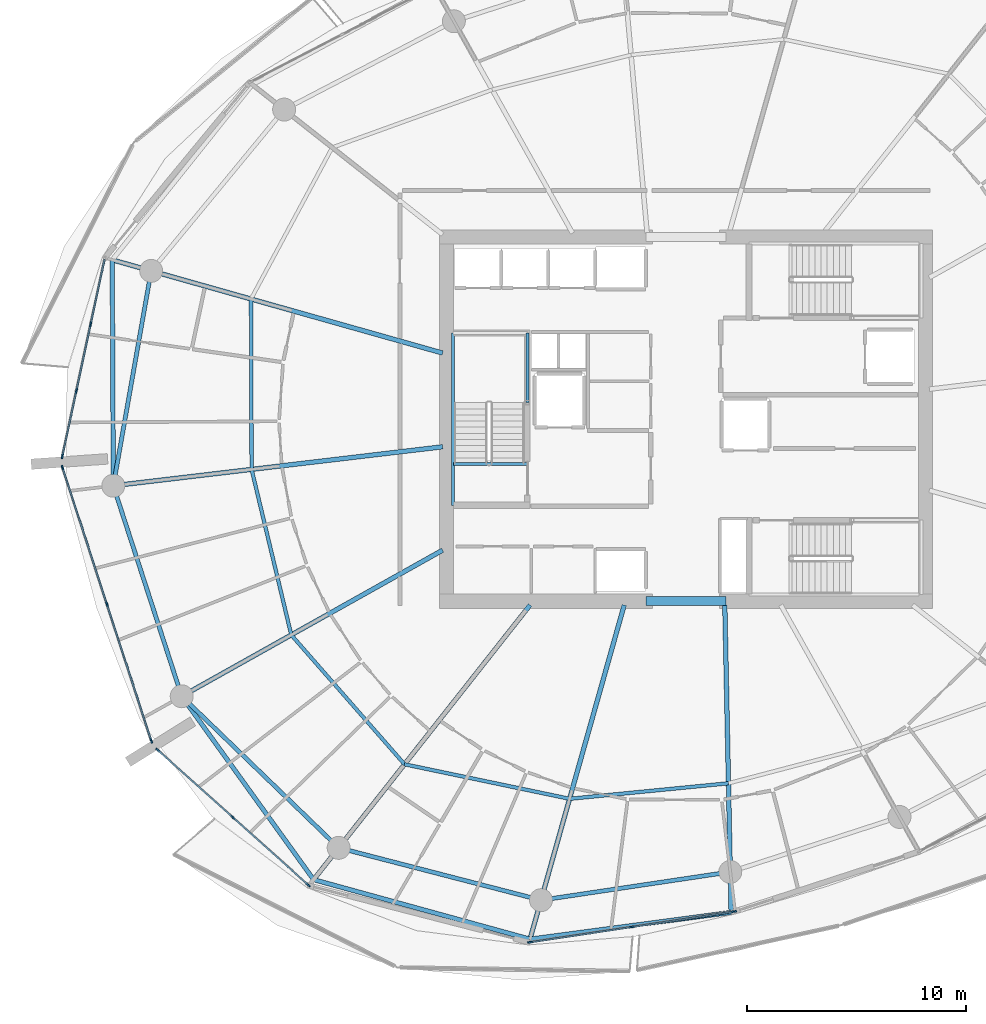
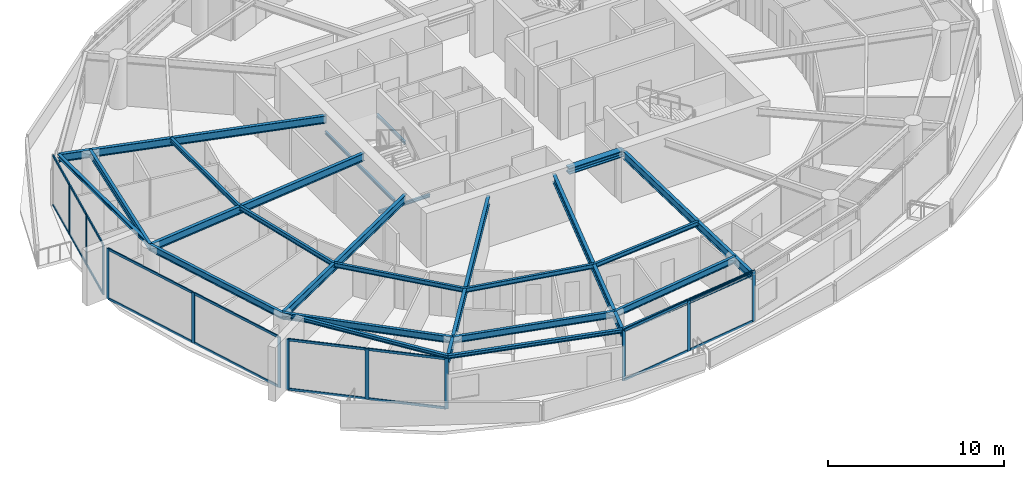
# One storey, part 5 of 21: 30 members, 24 beams, 4 elements without a shape of their own.
"""IFC4 building model written with IfcOpenShell, lengths in metres."""

import ifcopenshell
import ifcopenshell.guid

model = None  # the IFC model being written
_history = None  # IfcOwnerHistory: only IFC2X3 demands one
_inside = {}  # id of a spatial element -> (the spatial element, [elements in it])
_under = {}  # id of a project, library or spatial element -> (it, [spatial elements below it])
_declared = {}  # id of a project -> (the project, [libraries it declares])
_typed = {}  # id of a type object -> (the type object, [elements of that type])
_made_of = {}  # id of a material, layer set ... -> (it, [elements and type objects made of it])


def new_model(schema):
    """Start an empty IFC model of exactly this schema.

    Asked for "IFC4X3", IfcOpenShell would pick the latest addendum, in which some entities
    have other attributes; the version numbers below select the first issue.
    IFC2X3 requires an IfcOwnerHistory on every rooted entity: one is made here for all.
    """
    global model, _history
    if schema == "IFC4X3":
        model = ifcopenshell.file(schema_version=(4, 3, 0, 0))
    else:
        model = ifcopenshell.file(schema=schema)
    _inside.clear()
    _under.clear()
    _declared.clear()
    _typed.clear()
    _made_of.clear()
    _history = None
    if model.schema == "IFC2X3":
        org = make("IfcOrganization", Name="unknown")
        user = make(
            "IfcPersonAndOrganization",
            ThePerson=make("IfcPerson", FamilyName="unknown"),
            TheOrganization=org,
        )
        app = make(
            "IfcApplication",
            ApplicationDeveloper=org,
            Version="unknown",
            ApplicationFullName="unknown",
            ApplicationIdentifier="unknown",
        )
        _history = make(
            "IfcOwnerHistory",
            OwningUser=user,
            OwningApplication=app,
            ChangeAction="ADDED",
            CreationDate=0,
        )
    return model


def make(cls, **values):
    """One entity of the class cls with the attributes given. An attribute that is None is left unset."""
    return model.create_entity(
        cls, **{name: value for name, value in values.items() if value is not None}
    )


def rooted(cls, **values):
    """An entity with a GlobalId (a new one), such as an element, a storey or a relation."""
    return make(cls, GlobalId=ifcopenshell.guid.new(), OwnerHistory=_history, **values)


def si_unit(unit_type, name, prefix=None):
    """IfcSIUnit, for example si_unit("LENGTHUNIT", "METRE", prefix="MILLI")."""
    return make("IfcSIUnit", UnitType=unit_type, Prefix=prefix, Name=name)


def assignment(units):
    """IfcUnitAssignment: the units of a project."""
    return None if units is None else make("IfcUnitAssignment", Units=units)


def point(xyz):
    """IfcCartesianPoint."""
    return None if xyz is None else make("IfcCartesianPoint", Coordinates=xyz)


def direction(xyz):
    """IfcDirection."""
    return None if xyz is None else make("IfcDirection", DirectionRatios=xyz)


def frame(location, z_axis=None, x_axis=None):
    """IfcAxis2Placement3D, a coordinate frame: its origin and axes. An axis left out is left unset."""
    return make(
        "IfcAxis2Placement3D",
        Location=point(location),
        Axis=direction(z_axis),
        RefDirection=direction(x_axis),
    )


def frame_2d(location, x_axis=None):
    """IfcAxis2Placement2D, a coordinate frame in the plane: its origin and x axis."""
    return make(
        "IfcAxis2Placement2D", Location=point(location), RefDirection=direction(x_axis)
    )


def origin():
    """The frame at (0, 0, 0) with its axes left unset."""
    return frame((0.0, 0.0, 0.0))


def origin_2d():
    """The frame at (0, 0) in the plane with its x axis left unset."""
    return frame_2d((0.0, 0.0))


def place(relative_to, where):
    """IfcLocalPlacement: puts the frame where relative to a parent placement (None: the world)."""
    return make(
        "IfcLocalPlacement", PlacementRelTo=relative_to, RelativePlacement=where
    )


def context(
    kind, dimensions, precision=None, world=None, true_north=None, identifier=None
):
    """IfcGeometricRepresentationContext, for example the 3D "Model" context."""
    return make(
        "IfcGeometricRepresentationContext",
        ContextIdentifier=identifier,
        ContextType=kind,
        CoordinateSpaceDimension=dimensions,
        Precision=precision,
        WorldCoordinateSystem=world,
        TrueNorth=true_north,
    )


def subcontext(parent, identifier, kind, view, scale=None):
    """IfcGeometricRepresentationSubContext, for example "Body" below "Model"."""
    return make(
        "IfcGeometricRepresentationSubContext",
        ContextIdentifier=identifier,
        ContextType=kind,
        ParentContext=parent,
        TargetScale=scale,
        TargetView=view,
    )


def project(units=None, contexts=None):
    """IfcProject with its units and contexts."""
    return rooted(
        "IfcProject",
        Name="project",
        RepresentationContexts=contexts,
        UnitsInContext=assignment(units),
    )


def spatial(cls, under=None, at=None, **own):
    """A site, building, storey or space (cls), placed at a placement, below another one or the project."""
    s = rooted(cls, ObjectPlacement=at, **own)
    if under is not None:
        _under.setdefault(under.id(), (under, []))[1].append(s)
    return s


def profile(cls, at=None, kind="AREA", **sizes):
    """A parametric profile (cls). Its sizes go by their IFC names, for example OverallWidth=200.0."""
    return make(cls, ProfileType=kind, Position=at, **sizes)


def rectangle(**sizes):
    """IfcRectangleProfileDef."""
    return profile("IfcRectangleProfileDef", **sizes)


def i_section(**sizes):
    """IfcIShapeProfileDef."""
    return profile("IfcIShapeProfileDef", **sizes)


def extrude(swept, where, along, depth):
    """IfcExtrudedAreaSolid: the profile swept, set in the frame where, extruded along a direction by depth."""
    return make(
        "IfcExtrudedAreaSolid",
        SweptArea=swept,
        Position=where,
        ExtrudedDirection=direction(along),
        Depth=depth,
    )


def shape(context_of_items, identifier, shape_type, items):
    """IfcShapeRepresentation: the items that make up one representation, for example the "Body"."""
    return make(
        "IfcShapeRepresentation",
        ContextOfItems=context_of_items,
        RepresentationIdentifier=identifier,
        RepresentationType=shape_type,
        Items=items,
    )


def material(Name=None, Category=None):
    """IfcMaterial."""
    return make("IfcMaterial", Name=Name, Category=Category)


def layer(
    of_material, thickness, ventilated=None, Name=None, Category=None, Priority=None
):
    """IfcMaterialLayer: one layer of a wall or slab, of a material (None: an air gap)."""
    return make(
        "IfcMaterialLayer",
        Material=of_material,
        LayerThickness=thickness,
        IsVentilated=ventilated,
        Name=Name,
        Category=Category,
        Priority=Priority,
    )


def layer_set(layers, Name=None):
    """IfcMaterialLayerSet."""
    return make("IfcMaterialLayerSet", MaterialLayers=layers, LayerSetName=Name)


def material_profile(
    of_material, cross_section, Name=None, Category=None, Priority=None
):
    """IfcMaterialProfile: a cross section and its material."""
    return make(
        "IfcMaterialProfile",
        Name=Name,
        Material=of_material,
        Profile=cross_section,
        Priority=Priority,
        Category=Category,
    )


def profile_set(profiles, Name=None, composite=None):
    """IfcMaterialProfileSet."""
    return make(
        "IfcMaterialProfileSet",
        Name=Name,
        MaterialProfiles=profiles,
        CompositeProfile=composite,
    )


def made_of(thing, what):
    """Note that an element or type object is made of a material, layer set ...; save() writes the relation."""
    if what is not None:
        _made_of.setdefault(what.id(), (what, []))[1].append(thing)
    return thing


def type_object(cls, material=None, **own):
    """A type object (cls), such as IfcWallType, which elements share."""
    return made_of(rooted(cls, **own), material)


def element(
    cls,
    number,
    at=None,
    inside=None,
    cuts=None,
    type_object=None,
    material=None,
    context=None,
    identifier="Body",
    shape_type=None,
    held_by="IfcProductDefinitionShape",
    body=None,
    shapes=None,
    **own,
):
    """One element of the class cls, such as IfcWall. Its Tag is "e" and its number.

    at: its placement. inside: the storey or other place that contains it. cuts: it is an
    opening in that element (IfcRelVoidsElement). A single representation is given by context,
    identifier, shape_type and body (its items); several are given by shapes. held_by: the class
    of the entity that holds the representations. save() writes the other relations.
    """
    e = rooted(cls, Tag="e%d" % number, ObjectPlacement=at, **own)
    if body is not None:
        shapes = [shape(context, identifier, shape_type, body)]
    if shapes is not None:
        e.Representation = make(held_by, Representations=shapes)
    if inside is not None:
        _inside.setdefault(inside.id(), (inside, []))[1].append(e)
    if cuts is not None:
        rooted(
            "IfcRelVoidsElement", RelatingBuildingElement=cuts, RelatedOpeningElement=e
        )
    if type_object is not None:
        _typed.setdefault(type_object.id(), (type_object, []))[1].append(e)
    return made_of(e, material)


def aggregate(whole, parts):
    """IfcRelAggregates: a whole, such as a stair, and the parts it consists of."""
    return rooted("IfcRelAggregates", RelatingObject=whole, RelatedObjects=parts)


def save(model, path):
    """Write the relations noted so far, then the file.

    IfcRelAggregates (storeys below a building ...), IfcRelContainedInSpatialStructure (elements
    in a storey), IfcRelDefinesByType, IfcRelAssociatesMaterial and IfcRelDeclares: one each for
    every whole, place, type object, material and project.
    """
    for whole, parts in _under.values():
        aggregate(whole, parts)
    for where, things in _inside.values():
        rooted(
            "IfcRelContainedInSpatialStructure",
            RelatedElements=things,
            RelatingStructure=where,
        )
    for kind, things in _typed.values():
        rooted("IfcRelDefinesByType", RelatedObjects=things, RelatingType=kind)
    for what, things in _made_of.values():
        rooted("IfcRelAssociatesMaterial", RelatedObjects=things, RelatingMaterial=what)
    for by, libraries in _declared.values():
        rooted("IfcRelDeclares", RelatingContext=by, RelatedDefinitions=libraries)
    model.write(path)


model = new_model("IFC4")

# Units and contexts
model_context = context("Model", 3, precision=1e-05, world=origin(), true_north=direction((0.0, 1.0)))
body_context = subcontext(model_context, "Body", "Model", "MODEL_VIEW")
ifc_project = project(units=[si_unit("LENGTHUNIT", "METRE"), si_unit("AREAUNIT", "SQUARE_METRE"), si_unit("VOLUMEUNIT", "CUBIC_METRE"), si_unit("PLANEANGLEUNIT", "RADIAN"), si_unit("MASSUNIT", "GRAM", prefix="KILO")], contexts=[model_context])

# Site, building, storey
site_placement = place(None, origin())
site = spatial("IfcSite", under=ifc_project, at=site_placement, CompositionType="ELEMENT")
building_placement = place(site_placement, origin())
building = spatial("IfcBuilding", under=site, at=building_placement, Name="Kazma Halo Residences", CompositionType="ELEMENT")
storey_placement = place(building_placement, frame((0.0, 0.0, 187.800048828125)))
storey = spatial("IfcBuildingStorey", under=building, at=storey_placement, Name="L47", CompositionType="ELEMENT", Elevation=187.800048828125)

# Beams
ifc_material_1 = material(Name="Steel S355", Category="steel")
ifc_material_profile_1 = material_profile(ifc_material_1, i_section(OverallWidth=0.201904296875, OverallDepth=0.2470703125, WebThickness=0.00732421875, FlangeThickness=0.010986328125, FilletRadius=0.011962890625, at=origin_2d()), Name="W250x49.1")
ifc_profile_set_1 = profile_set([ifc_material_profile_1], Name="Steel S355")
beam_type_1 = type_object("IfcBeamType", Name="BM-BAL-CANT", PredefinedType="BEAM", material=ifc_profile_set_1)
for number, where, z_axis, x_axis, name in (
    (1, (22.19970703125, 49.276611328125, 3.37646484375), (0.004705663334, -0.999988928305, 0.0), (0.999988928305, 0.004705663334, 0.0), "L47 wave-balcony tie beam 07"),
    (2, (25.375, 29.329345703125, 3.37646484375), (0.583963922576, -0.811779611181, 0.0), (0.811779611181, 0.583963922576, 0.0), "L47 wave-balcony lead tie beam 09"),
):
    element("IfcBeam", number, at=place(storey_placement, frame(where, z_axis=z_axis, x_axis=x_axis)), inside=storey, type_object=beam_type_1, Name=name, PredefinedType="BEAM", context=body_context, shape_type="SweptSolid", body=[
        extrude(i_section(OverallWidth=0.201904296875, OverallDepth=0.2470703125, WebThickness=0.00732421875, FlangeThickness=0.010986328125, FilletRadius=0.011962890625, at=origin_2d()), origin(), (0.0, 0.0, 1.0), 10.324462890625),
    ])
beam_1_placement = place(storey_placement, frame((31.404052734375, 20.9482421875, 3.37646484375), z_axis=(0.964197026197, -0.265186905169, 0.0), x_axis=(0.265186905169, 0.964197026197, 0.0)))
element("IfcBeam", 3, at=beam_1_placement, inside=storey, type_object=beam_type_1, Name="L47 wave-balcony tie beam 10", PredefinedType="BEAM", context=body_context, shape_type="SweptSolid", body=[
    extrude(i_section(OverallWidth=0.201904296875, OverallDepth=0.2470703125, WebThickness=0.00732421875, FlangeThickness=0.010986328125, FilletRadius=0.011962890625, at=origin_2d()), origin(), (0.0, 0.0, 1.0), 10.258544921875),
])
beam_2_placement = place(storey_placement, frame((41.29541015625, 18.227783203125, 3.37646484375), z_axis=(0.99126671613, 0.131872277199, 0.0), x_axis=(-0.131872277199, 0.99126671613, 0.0)))
element("IfcBeam", 4, at=beam_2_placement, inside=storey, type_object=beam_type_1, Name="L47 wave-balcony tie beam 11", PredefinedType="BEAM", context=body_context, shape_type="SweptSolid", body=[
    extrude(i_section(OverallWidth=0.201904296875, OverallDepth=0.2470703125, WebThickness=0.00732421875, FlangeThickness=0.010986328125, FilletRadius=0.011962890625, at=origin_2d()), origin(), (0.0, 0.0, 1.0), 9.2734375),
])
ifc_material_profile_2 = material_profile(ifc_material_1, i_section(OverallWidth=0.408935546875, OverallDepth=0.425048828125, WebThickness=0.03271484375, FlangeThickness=0.052490234375, FilletRadius=0.02001953125, at=origin_2d()), Name="W360x421")
ifc_profile_set_2 = profile_set([ifc_material_profile_2], Name="Steel S355")
beam_type_2 = type_object("IfcBeamType", Name="BM-CORE-W360H", PredefinedType="BEAM", material=ifc_profile_set_2)
beam_3_placement = place(storey_placement, frame((46.60009765625, 33.675048828125, 3.287353515625), z_axis=(1.0, 0.0, 0.0), x_axis=(0.0, 1.0, 0.0)))
element("IfcBeam", 5, at=beam_3_placement, inside=storey, type_object=beam_type_2, Name="L47 core coupling beam S", PredefinedType="BEAM", context=body_context, shape_type="SweptSolid", body=[
    extrude(i_section(OverallWidth=0.408935546875, OverallDepth=0.425048828125, WebThickness=0.03271484375, FlangeThickness=0.052490234375, FilletRadius=0.02001953125, at=origin_2d()), origin(), (0.0, 0.0, 1.0), 3.64990234375),
])
ifc_material_profile_3 = material_profile(ifc_material_1, i_section(OverallWidth=0.208984375, OverallDepth=0.532958984375, WebThickness=0.01025390625, FlangeThickness=0.015625, FilletRadius=0.01611328125, at=origin_2d()), Name="W530x92")
ifc_profile_set_3 = profile_set([ifc_material_profile_3], Name="Steel S355")
beam_type_3 = type_object("IfcBeamType", Name="BM-RAD-W530", PredefinedType="BEAM", material=ifc_profile_set_3)
beam_4_placement = place(storey_placement, frame((37.300048828125, 45.017578125, 3.2333984375), z_axis=(-0.962450301448, 0.271457947467, 0.0), x_axis=(-0.271457947467, -0.962450301448, 0.0)))
element("IfcBeam", 6, at=beam_4_placement, inside=storey, type_object=beam_type_3, Name="L47 radial floor beam 07", PredefinedType="BEAM", context=body_context, shape_type="SweptSolid", body=[
    extrude(i_section(OverallWidth=0.208984375, OverallDepth=0.532958984375, WebThickness=0.01025390625, FlangeThickness=0.015625, FilletRadius=0.01611328125, at=origin_2d()), origin(), (0.0, 0.0, 1.0), 15.689453125),
])
beam_5_placement = place(storey_placement, frame((37.300048828125, 40.733642578125, 3.2333984375), z_axis=(-0.993068447674, -0.117537475875, 0.0), x_axis=(0.117537475875, -0.993068447674, 0.0)))
element("IfcBeam", 7, at=beam_5_placement, inside=storey, type_object=beam_type_3, Name="L47 radial floor beam 08", PredefinedType="BEAM", context=body_context, shape_type="SweptSolid", body=[
    extrude(i_section(OverallWidth=0.208984375, OverallDepth=0.532958984375, WebThickness=0.01025390625, FlangeThickness=0.015625, FilletRadius=0.01611328125, at=origin_2d()), origin(), (0.0, 0.0, 1.0), 15.15673828125),
])
beam_6_placement = place(storey_placement, frame((37.300048828125, 36.0078125, 3.2333984375), z_axis=(-0.872492308718, -0.488627845327, 0.0), x_axis=(0.488627845327, -0.872492308718, 0.0)))
element("IfcBeam", 8, at=beam_6_placement, inside=storey, type_object=beam_type_3, Name="L47 radial floor beam 09", PredefinedType="BEAM", context=body_context, shape_type="SweptSolid", body=[
    extrude(i_section(OverallWidth=0.208984375, OverallDepth=0.532958984375, WebThickness=0.01025390625, FlangeThickness=0.015625, FilletRadius=0.01611328125, at=origin_2d()), origin(), (0.0, 0.0, 1.0), 13.667724609375),
])
beam_7_placement = place(storey_placement, frame((41.299072265625, 33.5, 3.2333984375), z_axis=(-0.61909439419, -0.785316580165, 0.0), x_axis=(0.785316580165, -0.61909439419, 0.0)))
element("IfcBeam", 9, at=beam_7_placement, inside=storey, type_object=beam_type_3, Name="L47 radial floor beam 10", PredefinedType="BEAM", context=body_context, shape_type="SweptSolid", body=[
    extrude(i_section(OverallWidth=0.208984375, OverallDepth=0.532958984375, WebThickness=0.01025390625, FlangeThickness=0.015625, FilletRadius=0.01611328125, at=origin_2d()), origin(), (0.0, 0.0, 1.0), 15.983154296875),
])
beam_8_placement = place(storey_placement, frame((45.602783203125, 33.5, 3.2333984375), z_axis=(-0.271449932859, -0.962452561922, 0.0), x_axis=(0.962452561922, -0.271449932859, 0.0)))
element("IfcBeam", 10, at=beam_8_placement, inside=storey, type_object=beam_type_3, Name="L47 radial floor beam 11", PredefinedType="BEAM", context=body_context, shape_type="SweptSolid", body=[
    extrude(i_section(OverallWidth=0.208984375, OverallDepth=0.532958984375, WebThickness=0.01025390625, FlangeThickness=0.015625, FilletRadius=0.01611328125, at=origin_2d()), origin(), (0.0, 0.0, 1.0), 15.867919921875),
])
beam_9_placement = place(storey_placement, frame((50.199951171875, 33.5, 3.2333984375), z_axis=(0.020483658838, -0.99979018785, 0.0), x_axis=(0.99979018785, 0.020483658838, 0.0)))
element("IfcBeam", 11, at=beam_9_placement, inside=storey, type_object=beam_type_3, Name="L47 radial floor beam 12", PredefinedType="BEAM", context=body_context, shape_type="SweptSolid", body=[
    extrude(i_section(OverallWidth=0.208984375, OverallDepth=0.532958984375, WebThickness=0.01025390625, FlangeThickness=0.015625, FilletRadius=0.01611328125, at=origin_2d()), origin(), (0.0, 0.0, 1.0), 14.05224609375),
])
ifc_material_profile_4 = material_profile(ifc_material_1, i_section(OverallWidth=0.1650390625, OverallDepth=0.31005859375, WebThickness=0.005859375, FlangeThickness=0.009765625, FilletRadius=0.011962890625, at=origin_2d()), Name="W310x38.7")
ifc_profile_set_4 = profile_set([ifc_material_profile_4], Name="Steel S355")
beam_type_4 = type_object("IfcBeamType", Name="BM-SEC-W310B", PredefinedType="JOIST", material=ifc_profile_set_4)
beam_10_placement = place(storey_placement, frame((28.5419921875, 47.48779296875, 3.344970703125), z_axis=(0.003605218278, -0.999993501179, 0.0), x_axis=(0.999993501179, 0.003605218278, 0.0)))
element("IfcBeam", 12, at=beam_10_placement, inside=storey, type_object=beam_type_4, Name="L47 circumferential floor joist 07", PredefinedType="JOIST", context=body_context, shape_type="SweptSolid", body=[
    extrude(i_section(OverallWidth=0.1650390625, OverallDepth=0.31005859375, WebThickness=0.005859375, FlangeThickness=0.009765625, FilletRadius=0.011962890625, at=origin_2d()), origin(), (0.0, 0.0, 1.0), 7.78759765625),
])
beam_11_placement = place(storey_placement, frame((28.570068359375, 39.7001953125, 3.344970703125), z_axis=(0.233058429286, -0.972462733753, 0.0), x_axis=(0.972462733753, 0.233058429286, 0.0)))
element("IfcBeam", 13, at=beam_11_placement, inside=storey, type_object=beam_type_4, Name="L47 circumferential floor joist 08", PredefinedType="JOIST", context=body_context, shape_type="SweptSolid", body=[
    extrude(i_section(OverallWidth=0.1650390625, OverallDepth=0.31005859375, WebThickness=0.005859375, FlangeThickness=0.009765625, FilletRadius=0.011962890625, at=origin_2d()), origin(), (0.0, 0.0, 1.0), 7.7802734375),
])
beam_12_placement = place(storey_placement, frame((30.38330078125, 32.13427734375, 3.344970703125), z_axis=(0.658629944618, -0.75246700662, 0.0), x_axis=(0.75246700662, 0.658629944618, 0.0)))
element("IfcBeam", 14, at=beam_12_placement, inside=storey, type_object=beam_type_4, Name="L47 circumferential floor joist 09", PredefinedType="JOIST", context=body_context, shape_type="SweptSolid", body=[
    extrude(i_section(OverallWidth=0.1650390625, OverallDepth=0.31005859375, WebThickness=0.005859375, FlangeThickness=0.009765625, FilletRadius=0.011962890625, at=origin_2d()), origin(), (0.0, 0.0, 1.0), 7.85986328125),
])
beam_13_placement = place(storey_placement, frame((35.56005859375, 26.219970703125, 3.344970703125), z_axis=(0.978821484976, -0.204715657802, 0.0), x_axis=(0.204715657802, 0.978821484976, 0.0)))
element("IfcBeam", 15, at=beam_13_placement, inside=storey, type_object=beam_type_4, Name="L47 circumferential floor joist 10", PredefinedType="JOIST", context=body_context, shape_type="SweptSolid", body=[
    extrude(i_section(OverallWidth=0.1650390625, OverallDepth=0.31005859375, WebThickness=0.005859375, FlangeThickness=0.009765625, FilletRadius=0.011962890625, at=origin_2d()), origin(), (0.0, 0.0, 1.0), 7.707763671875),
])
beam_14_placement = place(storey_placement, frame((43.1044921875, 24.64208984375, 3.344970703125), z_axis=(0.995262165401, 0.097227681872, 0.0), x_axis=(-0.097227681872, 0.995262165401, 0.0)))
element("IfcBeam", 16, at=beam_14_placement, inside=storey, type_object=beam_type_4, Name="L47 circumferential floor joist 11", PredefinedType="JOIST", context=body_context, shape_type="SweptSolid", body=[
    extrude(i_section(OverallWidth=0.1650390625, OverallDepth=0.31005859375, WebThickness=0.005859375, FlangeThickness=0.009765625, FilletRadius=0.011962890625, at=origin_2d()), origin(), (0.0, 0.0, 1.0), 7.297119140625),
])
ifc_material_profile_5 = material_profile(ifc_material_1, i_section(OverallWidth=0.18994140625, OverallDepth=0.45703125, WebThickness=0.009033203125, FlangeThickness=0.014404296875, FilletRadius=0.01611328125, at=origin_2d()), Name="W460x74")
ifc_profile_set_5 = profile_set([ifc_material_profile_5], Name="Steel S355")
beam_type_5 = type_object("IfcBeamType", Name="BM-SPN-W460", PredefinedType="BEAM", material=ifc_profile_set_5)
beam_15_placement = place(storey_placement, frame((23.980224609375, 48.7744140625, 3.271484375), z_axis=(-0.173648484202, -0.984807698962, 0.0), x_axis=(0.984807698962, -0.173648484202, 0.0)))
element("IfcBeam", 17, at=beam_15_placement, inside=storey, type_object=beam_type_5, Name="L47 perimeter ring beam 07", PredefinedType="BEAM", context=body_context, shape_type="SweptSolid", body=[
    extrude(i_section(OverallWidth=0.18994140625, OverallDepth=0.45703125, WebThickness=0.009033203125, FlangeThickness=0.014404296875, FilletRadius=0.01611328125, at=origin_2d()), origin(), (0.0, 0.0, 1.0), 9.973876953125),
])
beam_16_placement = place(storey_placement, frame((22.248291015625, 38.9521484375, 3.271484375), z_axis=(0.309023327426, -0.951054458539, 0.0), x_axis=(0.951054458539, 0.309023327426, 0.0)))
element("IfcBeam", 18, at=beam_16_placement, inside=storey, type_object=beam_type_5, Name="L47 perimeter ring beam 08", PredefinedType="BEAM", context=body_context, shape_type="SweptSolid", body=[
    extrude(i_section(OverallWidth=0.18994140625, OverallDepth=0.45703125, WebThickness=0.009033203125, FlangeThickness=0.014404296875, FilletRadius=0.01611328125, at=origin_2d()), origin(), (0.0, 0.0, 1.0), 10.117919921875),
])
beam_17_placement = place(storey_placement, frame((25.375, 29.329345703125, 3.271484375), z_axis=(0.71933650181, -0.694661786169, 0.0), x_axis=(0.694661786169, 0.71933650181, 0.0)))
element("IfcBeam", 19, at=beam_17_placement, inside=storey, type_object=beam_type_5, Name="L47 perimeter ring beam 09", PredefinedType="BEAM", context=body_context, shape_type="SweptSolid", body=[
    extrude(i_section(OverallWidth=0.18994140625, OverallDepth=0.45703125, WebThickness=0.009033203125, FlangeThickness=0.014404296875, FilletRadius=0.01611328125, at=origin_2d()), origin(), (0.0, 0.0, 1.0), 9.9736328125),
])
beam_18_placement = place(storey_placement, frame((32.54931640625, 22.401123046875, 3.271484375), z_axis=(0.968120950739, -0.25048318255, 0.0), x_axis=(0.25048318255, 0.968120950739, 0.0)))
element("IfcBeam", 20, at=beam_18_placement, inside=storey, type_object=beam_type_5, Name="L47 perimeter ring beam 10", PredefinedType="BEAM", context=body_context, shape_type="SweptSolid", body=[
    extrude(i_section(OverallWidth=0.18994140625, OverallDepth=0.45703125, WebThickness=0.009033203125, FlangeThickness=0.014404296875, FilletRadius=0.01611328125, at=origin_2d()), origin(), (0.0, 0.0, 1.0), 9.552734375),
])
beam_19_placement = place(storey_placement, frame((41.797607421875, 20.00830078125, 3.271484375), z_axis=(0.98903439143, 0.147685383732, 0.0), x_axis=(-0.147685383732, 0.98903439143, 0.0)))
element("IfcBeam", 21, at=beam_19_placement, inside=storey, type_object=beam_type_5, Name="L47 perimeter ring beam 11", PredefinedType="BEAM", context=body_context, shape_type="SweptSolid", body=[
    extrude(i_section(OverallWidth=0.18994140625, OverallDepth=0.45703125, WebThickness=0.009033203125, FlangeThickness=0.014404296875, FilletRadius=0.01611328125, at=origin_2d()), origin(), (0.0, 0.0, 1.0), 8.748291015625),
])
ifc_material_profile_6 = material_profile(ifc_material_1, i_section(OverallWidth=0.133056640625, OverallDepth=0.20703125, WebThickness=0.005859375, FlangeThickness=0.00830078125, FilletRadius=0.010009765625, at=origin_2d()), Name="W200x26.6")
ifc_profile_set_6 = profile_set([ifc_material_profile_6], Name="Steel S355")
beam_type_6 = type_object("IfcBeamType", Name="BM-TRIM-W200", PredefinedType="BEAM", material=ifc_profile_set_6)
beam_20_placement = place(storey_placement, frame((37.800048828125, 39.949951171875, -0.360107421875), z_axis=(1.0, 0.0, 0.0), x_axis=(0.0, 1.0, 0.0)))
element("IfcBeam", 22, at=beam_20_placement, inside=storey, type_object=beam_type_6, Name="L47 ST-01 floor landing support beam", PredefinedType="BEAM", context=body_context, shape_type="SweptSolid", body=[
    extrude(i_section(OverallWidth=0.133056640625, OverallDepth=0.20703125, WebThickness=0.005859375, FlangeThickness=0.00830078125, FilletRadius=0.010009765625, at=origin_2d()), origin(), (0.0, 0.0, 1.0), 3.3798828125),
])
beam_21_placement = place(storey_placement, frame((37.780029296875, 38.06005859375, 1.570068359375), z_axis=(0.0, 1.0, 0.0), x_axis=(-1.0, 0.0, 0.0)))
element("IfcBeam", 23, at=beam_21_placement, inside=storey, type_object=beam_type_6, Name="L47 ST-01 landing west wall ledger", PredefinedType="BEAM", context=body_context, shape_type="SweptSolid", body=[
    extrude(i_section(OverallWidth=0.133056640625, OverallDepth=0.20703125, WebThickness=0.005859375, FlangeThickness=0.00830078125, FilletRadius=0.010009765625, at=origin_2d()), origin(), (0.0, 0.0, 1.0), 7.8798828125),
])
beam_22_placement = place(storey_placement, frame((41.179931640625, 42.75, 1.570068359375), z_axis=(0.0, 1.0, 0.0), x_axis=(-1.0, 0.0, 0.0)))
element("IfcBeam", 24, at=beam_22_placement, inside=storey, type_object=beam_type_6, Name="L47 ST-01 landing east wall ledger", PredefinedType="BEAM", context=body_context, shape_type="SweptSolid", body=[
    extrude(i_section(OverallWidth=0.133056640625, OverallDepth=0.20703125, WebThickness=0.005859375, FlangeThickness=0.00830078125, FilletRadius=0.010009765625, at=origin_2d()), origin(), (0.0, 0.0, 1.0), 3.18994140625),
])

# Curtain wall, members
ifc_material_2 = material(Name="Aluminium AW-6063 T6 and Triple-Silver Low-E Glass", Category="aluminium")
ifc_layer = layer(ifc_material_2, 0.219970703125)
ifc_layer_set = layer_set([ifc_layer], Name="Aluminium AW-6063 T6 and Triple-Silver Low-E Glass")
curtain_wall_type = type_object("IfcCurtainWallType", Name="CW-SYS-4", PredefinedType="NOTDEFINED", material=ifc_layer_set)
curtain_wall_1_placement = place(storey_placement, origin())
curtain_wall_1 = element("IfcCurtainWall", 25, at=curtain_wall_1_placement, inside=storey, type_object=curtain_wall_type, Name="L47 unitised curtain wall B07", PredefinedType="NOTDEFINED")
ifc_material_3 = material(Name="Aluminium AW-6063 T6", Category="aluminium")
ifc_material_profile_7 = material_profile(ifc_material_3, rectangle(XDim=0.074951171875, YDim=0.219970703125, at=origin_2d()), Name="CWM-75x220")
ifc_profile_set_7 = profile_set([ifc_material_profile_7], Name="Aluminium AW-6063 T6")
member_type_1 = type_object("IfcMemberType", Name="CW-SYS-4-MUL", PredefinedType="MULLION", material=ifc_profile_set_7)
member_1_placement = place(storey_placement, frame((21.212890625, 46.3330078125, 0.0), z_axis=(0.0, 0.0, 1.0), x_axis=(0.977768017212, -0.209689543175, 0.0)))
member_1 = element("IfcMember", 26, at=member_1_placement, type_object=member_type_1, Name="CWS-4 mullion 2", PredefinedType="MULLION", context=body_context, shape_type="SweptSolid", body=[
    extrude(rectangle(XDim=0.074951171875, YDim=0.219970703125, at=origin_2d()), origin(), (0.0, 0.0, 1.0), 3.5),
])
member_2_placement = place(storey_placement, frame((20.561279296875, 43.295166015625, 0.0), z_axis=(0.0, 0.0, 1.0), x_axis=(0.977768017212, -0.209689543175, 0.0)))
member_2 = element("IfcMember", 27, at=member_2_placement, type_object=member_type_1, Name="CWS-4 mullion 3", PredefinedType="MULLION", context=body_context, shape_type="SweptSolid", body=[
    extrude(rectangle(XDim=0.074951171875, YDim=0.219970703125, at=origin_2d()), origin(), (0.0, 0.0, 1.0), 3.5),
])
member_3_placement = place(storey_placement, frame((19.917724609375, 40.2939453125, 0.0), z_axis=(0.0, 0.0, 1.0), x_axis=(0.977768017212, -0.209689543175, 0.0)))
member_3 = element("IfcMember", 28, at=member_3_placement, type_object=member_type_1, Name="CWS-4 mullion 4", PredefinedType="MULLION", context=body_context, shape_type="SweptSolid", body=[
    extrude(rectangle(XDim=0.074951171875, YDim=0.219970703125, at=origin_2d()), origin(), (0.0, 0.0, 1.0), 3.5),
])

curtain_wall_2_placement = place(storey_placement, origin())
curtain_wall_2 = element("IfcCurtainWall", 29, at=curtain_wall_2_placement, inside=storey, type_object=curtain_wall_type, Name="L47 unitised curtain wall B08", PredefinedType="NOTDEFINED")
member_4_placement = place(storey_placement, frame((19.9287109375, 39.77880859375, 0.0), z_axis=(0.0, 0.0, 1.0), x_axis=(0.951056893636, 0.309015833038, 0.0)))
member_4 = element("IfcMember", 30, at=member_4_placement, type_object=member_type_1, Name="CWS-4 mullion 1", PredefinedType="MULLION", context=body_context, shape_type="SweptSolid", body=[
    extrude(rectangle(XDim=0.074951171875, YDim=0.219970703125, at=origin_2d()), origin(), (0.0, 0.0, 1.0), 3.5),
])
member_5_placement = place(storey_placement, frame((21.95654296875, 33.5380859375, 0.0), z_axis=(0.0, 0.0, 1.0), x_axis=(0.951056893636, 0.309015833038, 0.0)))
member_5 = element("IfcMember", 31, at=member_5_placement, type_object=member_type_1, Name="CWS-4 mullion 2", PredefinedType="MULLION", context=body_context, shape_type="SweptSolid", body=[
    extrude(rectangle(XDim=0.074951171875, YDim=0.219970703125, at=origin_2d()), origin(), (0.0, 0.0, 1.0), 3.5),
])
member_6_placement = place(storey_placement, frame((23.984375, 27.297119140625, 0.0), z_axis=(0.0, 0.0, 1.0), x_axis=(0.951056893636, 0.309015833038, 0.0)))
member_6 = element("IfcMember", 32, at=member_6_placement, type_object=member_type_1, Name="CWS-4 mullion 3", PredefinedType="MULLION", context=body_context, shape_type="SweptSolid", body=[
    extrude(rectangle(XDim=0.074951171875, YDim=0.219970703125, at=origin_2d()), origin(), (0.0, 0.0, 1.0), 3.5),
])

curtain_wall_3_placement = place(storey_placement, origin())
curtain_wall_3 = element("IfcCurtainWall", 33, at=curtain_wall_3_placement, inside=storey, type_object=curtain_wall_type, Name="L47 unitised curtain wall B09", PredefinedType="NOTDEFINED")
member_7_placement = place(storey_placement, frame((24.2783203125, 26.873779296875, 0.0), z_axis=(0.0, 0.0, 1.0), x_axis=(0.667784328806, 0.744354814723, 0.0)))
member_7 = element("IfcMember", 34, at=member_7_placement, type_object=member_type_1, Name="CWS-4 mullion 1", PredefinedType="MULLION", context=body_context, shape_type="SweptSolid", body=[
    extrude(rectangle(XDim=0.074951171875, YDim=0.219970703125, at=origin_2d()), origin(), (0.0, 0.0, 1.0), 3.5),
])
member_8_placement = place(storey_placement, frame((27.719482421875, 23.786865234375, 0.0), z_axis=(0.0, 0.0, 1.0), x_axis=(0.667784328806, 0.744354814723, 0.0)))
member_8 = element("IfcMember", 35, at=member_8_placement, type_object=member_type_1, Name="CWS-4 mullion 2", PredefinedType="MULLION", context=body_context, shape_type="SweptSolid", body=[
    extrude(rectangle(XDim=0.074951171875, YDim=0.219970703125, at=origin_2d()), origin(), (0.0, 0.0, 1.0), 3.5),
])
member_9_placement = place(storey_placement, frame((31.160400390625, 20.69970703125, 0.0), z_axis=(0.0, 0.0, 1.0), x_axis=(0.667784328806, 0.744354814723, 0.0)))
member_9 = element("IfcMember", 36, at=member_9_placement, type_object=member_type_1, Name="CWS-4 mullion 3", PredefinedType="MULLION", context=body_context, shape_type="SweptSolid", body=[
    extrude(rectangle(XDim=0.074951171875, YDim=0.219970703125, at=origin_2d()), origin(), (0.0, 0.0, 1.0), 3.5),
])

curtain_wall_4_placement = place(storey_placement, origin())
curtain_wall_4 = element("IfcCurtainWall", 37, at=curtain_wall_4_placement, inside=storey, type_object=curtain_wall_type, Name="L47 unitised curtain wall B11", PredefinedType="NOTDEFINED")
member_10_placement = place(storey_placement, frame((41.291259765625, 18.086669921875, 0.0), z_axis=(0.0, 0.0, 1.0), x_axis=(-0.148772639188, 0.988871428361, 0.0)))
member_10 = element("IfcMember", 38, at=member_10_placement, type_object=member_type_1, Name="CWS-4 mullion 1", PredefinedType="MULLION", context=body_context, shape_type="SweptSolid", body=[
    extrude(rectangle(XDim=0.074951171875, YDim=0.219970703125, at=origin_2d()), origin(), (0.0, 0.0, 1.0), 3.5),
])
member_11_placement = place(storey_placement, frame((45.958740234375, 18.788818359375, 0.0), z_axis=(0.0, 0.0, 1.0), x_axis=(-0.148772639188, 0.988871428361, 0.0)))
member_11 = element("IfcMember", 39, at=member_11_placement, type_object=member_type_1, Name="CWS-4 mullion 2", PredefinedType="MULLION", context=body_context, shape_type="SweptSolid", body=[
    extrude(rectangle(XDim=0.074951171875, YDim=0.219970703125, at=origin_2d()), origin(), (0.0, 0.0, 1.0), 3.5),
])
member_12_placement = place(storey_placement, frame((50.626220703125, 19.490966796875, 0.0), z_axis=(0.0, 0.0, 1.0), x_axis=(-0.148772639188, 0.988871428361, 0.0)))
member_12 = element("IfcMember", 40, at=member_12_placement, type_object=member_type_1, Name="CWS-4 mullion 3", PredefinedType="MULLION", context=body_context, shape_type="SweptSolid", body=[
    extrude(rectangle(XDim=0.074951171875, YDim=0.219970703125, at=origin_2d()), origin(), (0.0, 0.0, 1.0), 3.5),
])

# Member
ifc_material_profile_8 = material_profile(ifc_material_3, rectangle(XDim=0.074951171875, YDim=0.1650390625, at=origin_2d()), Name="CWT-75x165")
ifc_profile_set_8 = profile_set([ifc_material_profile_8], Name="Aluminium AW-6063 T6")
member_type_2 = type_object("IfcMemberType", Name="CW-SYS-4-TRN", PredefinedType="USERDEFINED", material=ifc_profile_set_8)
member_13_placement = place(storey_placement, frame((21.8486328125, 49.297607421875, 0.037353515625), z_axis=(-0.209707268418, -0.977764215735, 0.0), x_axis=(0.977764215735, -0.209707268418, 0.0)))
member_13 = element("IfcMember", 41, at=member_13_placement, type_object=member_type_2, Name="CWS-4 transom 1.1", ObjectType="TRANSOM", PredefinedType="USERDEFINED", context=body_context, shape_type="SweptSolid", body=[
    extrude(rectangle(XDim=0.074951171875, YDim=0.1650390625, at=origin_2d()), origin(), (0.0, 0.0, 1.0), 2.994384765625),
])

member_14_placement = place(storey_placement, frame((21.8486328125, 49.297607421875, 3.46240234375), z_axis=(-0.209707268418, -0.977764215735, 0.0), x_axis=(0.977764215735, -0.209707268418, 0.0)))
member_14 = element("IfcMember", 42, at=member_14_placement, type_object=member_type_2, Name="CWS-4 transom 1.2", ObjectType="TRANSOM", PredefinedType="USERDEFINED", context=body_context, shape_type="SweptSolid", body=[
    extrude(rectangle(XDim=0.074951171875, YDim=0.1650390625, at=origin_2d()), origin(), (0.0, 0.0, 1.0), 2.994384765625),
])

member_15_placement = place(storey_placement, frame((21.205078125, 46.29638671875, 0.037353515625), z_axis=(-0.209677559804, -0.977770587057, 0.0), x_axis=(0.977770587057, -0.209677559804, 0.0)))
member_15 = element("IfcMember", 43, at=member_15_placement, type_object=member_type_2, Name="CWS-4 transom 2.1", ObjectType="TRANSOM", PredefinedType="USERDEFINED", context=body_context, shape_type="SweptSolid", body=[
    extrude(rectangle(XDim=0.074951171875, YDim=0.1650390625, at=origin_2d()), origin(), (0.0, 0.0, 1.0), 3.031982421875),
])

member_16_placement = place(storey_placement, frame((21.205078125, 46.29638671875, 3.46240234375), z_axis=(-0.209677559804, -0.977770587057, 0.0), x_axis=(0.977770587057, -0.209677559804, 0.0)))
member_16 = element("IfcMember", 44, at=member_16_placement, type_object=member_type_2, Name="CWS-4 transom 2.2", ObjectType="TRANSOM", PredefinedType="USERDEFINED", context=body_context, shape_type="SweptSolid", body=[
    extrude(rectangle(XDim=0.074951171875, YDim=0.1650390625, at=origin_2d()), origin(), (0.0, 0.0, 1.0), 3.031982421875),
])

member_17_placement = place(storey_placement, frame((20.553466796875, 43.258544921875, 0.037353515625), z_axis=(-0.209690551496, -0.97776780097, 0.0), x_axis=(0.97776780097, -0.209690551496, 0.0)))
member_17 = element("IfcMember", 45, at=member_17_placement, type_object=member_type_2, Name="CWS-4 transom 3.1", ObjectType="TRANSOM", PredefinedType="USERDEFINED", context=body_context, shape_type="SweptSolid", body=[
    extrude(rectangle(XDim=0.074951171875, YDim=0.1650390625, at=origin_2d()), origin(), (0.0, 0.0, 1.0), 2.99462890625),
])

member_18_placement = place(storey_placement, frame((20.553466796875, 43.258544921875, 3.46240234375), z_axis=(-0.209690551496, -0.97776780097, 0.0), x_axis=(0.97776780097, -0.209690551496, 0.0)))
member_18 = element("IfcMember", 46, at=member_18_placement, type_object=member_type_2, Name="CWS-4 transom 3.2", ObjectType="TRANSOM", PredefinedType="USERDEFINED", context=body_context, shape_type="SweptSolid", body=[
    extrude(rectangle(XDim=0.074951171875, YDim=0.1650390625, at=origin_2d()), origin(), (0.0, 0.0, 1.0), 2.99462890625),
])

aggregate(curtain_wall_1, [member_1, member_2, member_3, member_13, member_14, member_15, member_16, member_17, member_18])

member_19_placement = place(storey_placement, frame((19.9404296875, 39.7431640625, 0.037353515625), z_axis=(0.30902650142, -0.951053427217, 0.0), x_axis=(0.951053427217, 0.30902650142, 0.0)))
member_19 = element("IfcMember", 47, at=member_19_placement, type_object=member_type_2, Name="CWS-4 transom 1.1", ObjectType="TRANSOM", PredefinedType="USERDEFINED", context=body_context, shape_type="SweptSolid", body=[
    extrude(rectangle(XDim=0.074951171875, YDim=0.1650390625, at=origin_2d()), origin(), (0.0, 0.0, 1.0), 6.487060546875),
])

member_20_placement = place(storey_placement, frame((19.9404296875, 39.7431640625, 3.46240234375), z_axis=(0.30902650142, -0.951053427217, 0.0), x_axis=(0.951053427217, 0.30902650142, 0.0)))
member_20 = element("IfcMember", 48, at=member_20_placement, type_object=member_type_2, Name="CWS-4 transom 1.2", ObjectType="TRANSOM", PredefinedType="USERDEFINED", context=body_context, shape_type="SweptSolid", body=[
    extrude(rectangle(XDim=0.074951171875, YDim=0.1650390625, at=origin_2d()), origin(), (0.0, 0.0, 1.0), 6.487060546875),
])

member_21_placement = place(storey_placement, frame((21.968017578125, 33.50244140625, 0.037353515625), z_axis=(0.309015440644, -0.951057021132, 0.0), x_axis=(0.951057021132, 0.309015440644, 0.0)))
member_21 = element("IfcMember", 49, at=member_21_placement, type_object=member_type_2, Name="CWS-4 transom 2.1", ObjectType="TRANSOM", PredefinedType="USERDEFINED", context=body_context, shape_type="SweptSolid", body=[
    extrude(rectangle(XDim=0.074951171875, YDim=0.1650390625, at=origin_2d()), origin(), (0.0, 0.0, 1.0), 6.487060546875),
])

member_22_placement = place(storey_placement, frame((21.968017578125, 33.50244140625, 3.46240234375), z_axis=(0.309015440644, -0.951057021132, 0.0), x_axis=(0.951057021132, 0.309015440644, 0.0)))
member_22 = element("IfcMember", 50, at=member_22_placement, type_object=member_type_2, Name="CWS-4 transom 2.2", ObjectType="TRANSOM", PredefinedType="USERDEFINED", context=body_context, shape_type="SweptSolid", body=[
    extrude(rectangle(XDim=0.074951171875, YDim=0.1650390625, at=origin_2d()), origin(), (0.0, 0.0, 1.0), 6.487060546875),
])

aggregate(curtain_wall_2, [member_4, member_5, member_6, member_19, member_20, member_21, member_22])

member_23_placement = place(storey_placement, frame((24.30615234375, 26.848876953125, 0.037353515625), z_axis=(0.744344906673, -0.667795372783, 0.0), x_axis=(0.667795372783, 0.744344906673, 0.0)))
member_23 = element("IfcMember", 51, at=member_23_placement, type_object=member_type_2, Name="CWS-4 transom 1.1", ObjectType="TRANSOM", PredefinedType="USERDEFINED", context=body_context, shape_type="SweptSolid", body=[
    extrude(rectangle(XDim=0.074951171875, YDim=0.1650390625, at=origin_2d()), origin(), (0.0, 0.0, 1.0), 4.5478515625),
])

member_24_placement = place(storey_placement, frame((24.30615234375, 26.848876953125, 3.46240234375), z_axis=(0.744344906673, -0.667795372783, 0.0), x_axis=(0.667795372783, 0.744344906673, 0.0)))
member_24 = element("IfcMember", 52, at=member_24_placement, type_object=member_type_2, Name="CWS-4 transom 1.2", ObjectType="TRANSOM", PredefinedType="USERDEFINED", context=body_context, shape_type="SweptSolid", body=[
    extrude(rectangle(XDim=0.074951171875, YDim=0.1650390625, at=origin_2d()), origin(), (0.0, 0.0, 1.0), 4.5478515625),
])

member_25_placement = place(storey_placement, frame((27.747314453125, 23.76171875, 0.037353515625), z_axis=(0.744344906673, -0.667795372783, 0.0), x_axis=(0.667795372783, 0.744344906673, 0.0)))
member_25 = element("IfcMember", 53, at=member_25_placement, type_object=member_type_2, Name="CWS-4 transom 2.1", ObjectType="TRANSOM", PredefinedType="USERDEFINED", context=body_context, shape_type="SweptSolid", body=[
    extrude(rectangle(XDim=0.074951171875, YDim=0.1650390625, at=origin_2d()), origin(), (0.0, 0.0, 1.0), 4.5478515625),
])

member_26_placement = place(storey_placement, frame((27.747314453125, 23.76171875, 3.46240234375), z_axis=(0.744344906673, -0.667795372783, 0.0), x_axis=(0.667795372783, 0.744344906673, 0.0)))
member_26 = element("IfcMember", 54, at=member_26_placement, type_object=member_type_2, Name="CWS-4 transom 2.2", ObjectType="TRANSOM", PredefinedType="USERDEFINED", context=body_context, shape_type="SweptSolid", body=[
    extrude(rectangle(XDim=0.074951171875, YDim=0.1650390625, at=origin_2d()), origin(), (0.0, 0.0, 1.0), 4.5478515625),
])

aggregate(curtain_wall_3, [member_7, member_8, member_9, member_23, member_24, member_25, member_26])

member_27_placement = place(storey_placement, frame((41.328369140625, 18.092041015625, 0.037353515625), z_axis=(0.988867623216, 0.148797929272, 0.0), x_axis=(-0.148797929272, 0.988867623216, 0.0)))
member_27 = element("IfcMember", 55, at=member_27_placement, type_object=member_type_2, Name="CWS-4 transom 1.1", ObjectType="TRANSOM", PredefinedType="USERDEFINED", context=body_context, shape_type="SweptSolid", body=[
    extrude(rectangle(XDim=0.074951171875, YDim=0.1650390625, at=origin_2d()), origin(), (0.0, 0.0, 1.0), 4.64501953125),
])

member_28_placement = place(storey_placement, frame((41.328369140625, 18.092041015625, 3.46240234375), z_axis=(0.988867623216, 0.148797929272, 0.0), x_axis=(-0.148797929272, 0.988867623216, 0.0)))
member_28 = element("IfcMember", 56, at=member_28_placement, type_object=member_type_2, Name="CWS-4 transom 1.2", ObjectType="TRANSOM", PredefinedType="USERDEFINED", context=body_context, shape_type="SweptSolid", body=[
    extrude(rectangle(XDim=0.074951171875, YDim=0.1650390625, at=origin_2d()), origin(), (0.0, 0.0, 1.0), 4.64501953125),
])

member_29_placement = place(storey_placement, frame((45.995849609375, 18.79443359375, 0.037353515625), z_axis=(0.988876518566, 0.148738801357, 0.0), x_axis=(-0.148738801357, 0.988876518566, 0.0)))
member_29 = element("IfcMember", 57, at=member_29_placement, type_object=member_type_2, Name="CWS-4 transom 2.1", ObjectType="TRANSOM", PredefinedType="USERDEFINED", context=body_context, shape_type="SweptSolid", body=[
    extrude(rectangle(XDim=0.074951171875, YDim=0.1650390625, at=origin_2d()), origin(), (0.0, 0.0, 1.0), 4.645263671875),
])

member_30_placement = place(storey_placement, frame((45.995849609375, 18.79443359375, 3.46240234375), z_axis=(0.988876518566, 0.148738801357, 0.0), x_axis=(-0.148738801357, 0.988876518566, 0.0)))
member_30 = element("IfcMember", 58, at=member_30_placement, type_object=member_type_2, Name="CWS-4 transom 2.2", ObjectType="TRANSOM", PredefinedType="USERDEFINED", context=body_context, shape_type="SweptSolid", body=[
    extrude(rectangle(XDim=0.074951171875, YDim=0.1650390625, at=origin_2d()), origin(), (0.0, 0.0, 1.0), 4.645263671875),
])

aggregate(curtain_wall_4, [member_10, member_11, member_12, member_27, member_28, member_29, member_30])

save(model, "model.ifc")
